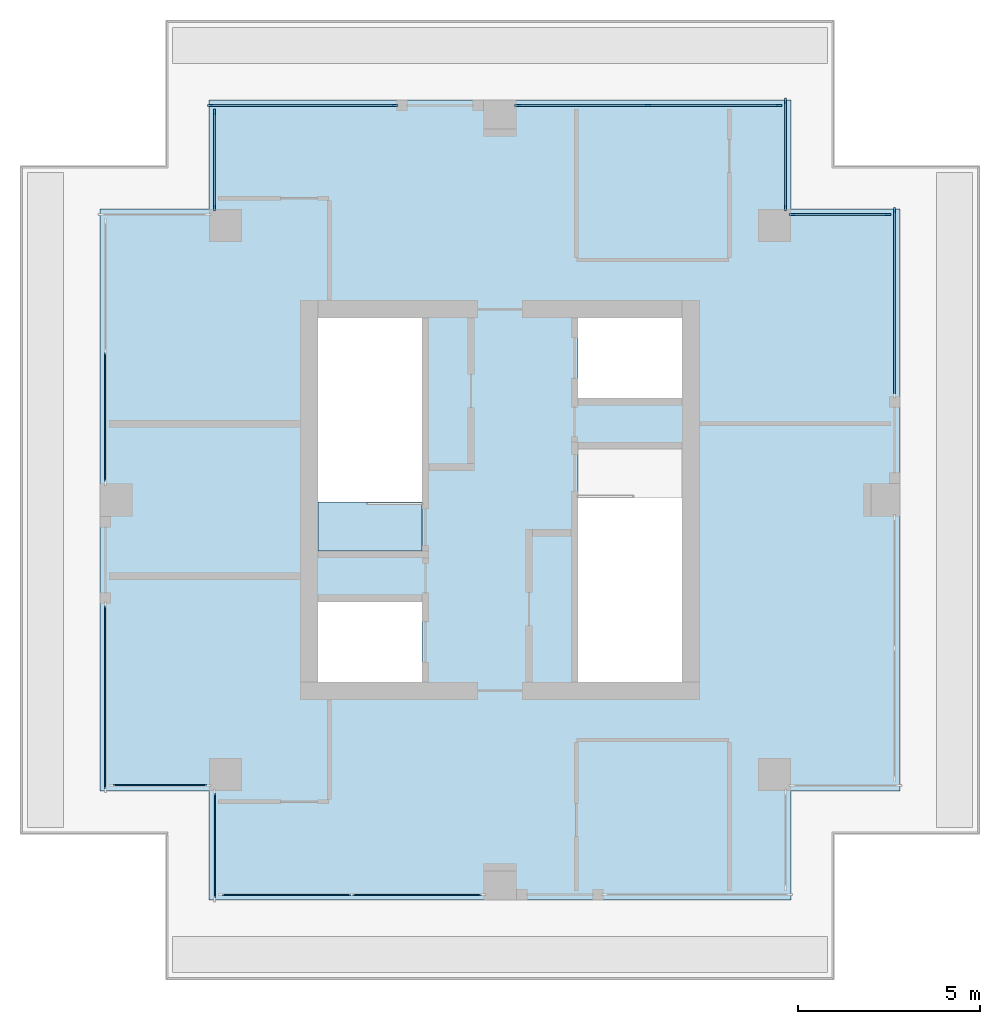
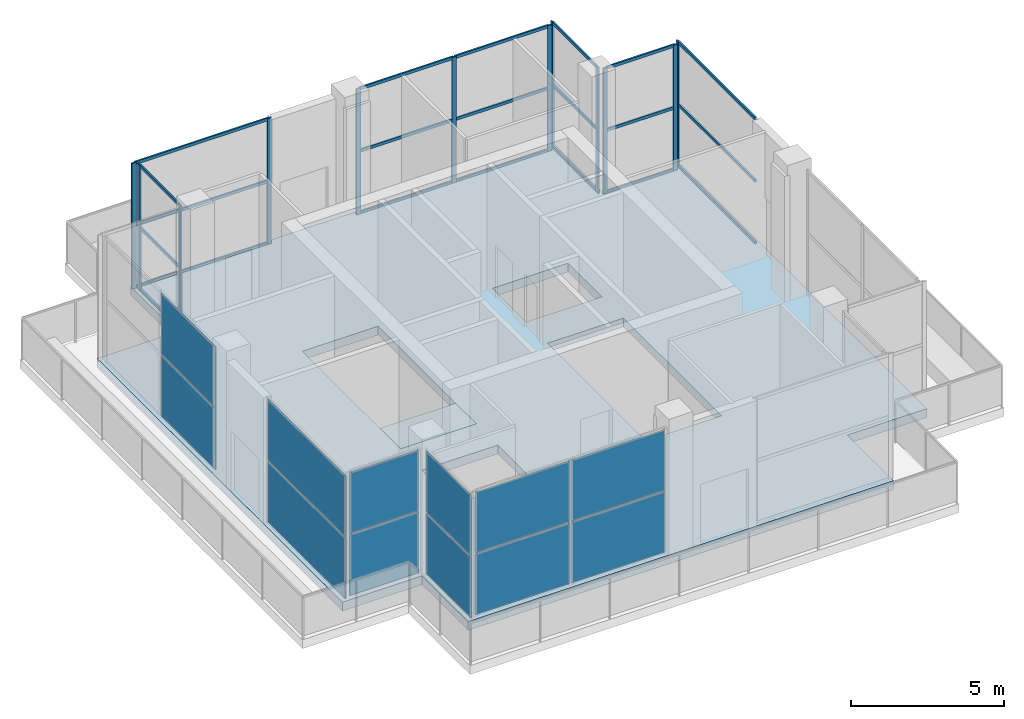
# One storey, part 2 of 5: 33 members, 12 plates, 2 slabs, 11 elements without a shape of their own.
"""IFC4 building model written with IfcOpenShell, lengths in metres."""

from ifc_helpers import new_model, si_unit, direction, frame, origin, origin_2d, place, context, subcontext, project, spatial, polyline, rectangle, outline, extrude, material, layer, layer_set, material_profile, profile_set, type_object, element, aggregate, save


model = new_model("IFC4")

# Units and contexts
model_context = context("Model", 3, precision=1e-05, world=origin(), true_north=direction((0.0, 1.0)))
body_context = subcontext(model_context, "Body", "Model", "MODEL_VIEW")
ifc_project = project(units=[si_unit("LENGTHUNIT", "METRE"), si_unit("AREAUNIT", "SQUARE_METRE"), si_unit("VOLUMEUNIT", "CUBIC_METRE"), si_unit("PLANEANGLEUNIT", "RADIAN"), si_unit("MASSUNIT", "GRAM", prefix="KILO")], contexts=[model_context])

# Site, building, storey
site_placement = place(None, origin())
site = spatial("IfcSite", under=ifc_project, at=site_placement, CompositionType="ELEMENT")
building_placement = place(site_placement, origin())
building = spatial("IfcBuilding", under=site, at=building_placement, Name="Khepri Terraces", CompositionType="ELEMENT")
storey_placement = place(building_placement, frame((0.0, 0.0, 316.199951171875)))
storey = spatial("IfcBuildingStorey", under=building, at=storey_placement, Name="L76", CompositionType="ELEMENT", Elevation=316.199951171875)

# Curtain wall, member
ifc_material_1 = material(Name="Anodised aluminium bronze curtain wall", Category="aluminium")
curtain_wall_type = type_object("IfcCurtainWallType", Name="CW-SYS4-LANTERN", PredefinedType="NOTDEFINED", material=ifc_material_1)
curtain_wall_1_placement = place(storey_placement, origin())
curtain_wall_1 = element("IfcCurtainWall", 1, at=curtain_wall_1_placement, inside=storey, type_object=curtain_wall_type, Name="Curtain wall CW4 L76 E", PredefinedType="NOTDEFINED")
ifc_material_2 = material(Name="Anodised aluminium bronze", Category="aluminium")
ifc_material_profile_1 = material_profile(ifc_material_2, rectangle(XDim=0.06005859375, YDim=0.159912109375, at=origin_2d()), Name="Anodised aluminium bronze", Category="aluminium")
ifc_profile_set_1 = profile_set([ifc_material_profile_1], Name="Anodised aluminium bronze")
member_type_1 = type_object("IfcMemberType", Name="CW-MULLION-60x160", PredefinedType="MULLION", material=ifc_profile_set_1)
member_1_placement = place(storey_placement, frame((10.85009765625, 7.969970703125, 0.0), z_axis=(0.0, 0.0, 1.0), x_axis=(-1.0, 0.0, 0.0)))
member_1 = element("IfcMember", 2, at=member_1_placement, type_object=member_type_1, Name="CW4 mullion 2", PredefinedType="MULLION", context=body_context, shape_type="SweptSolid", body=[
    extrude(rectangle(XDim=0.06005859375, YDim=0.159912109375, at=origin_2d()), origin(), (0.0, 0.0, 1.0), 5.0),
])

# Curtain wall, members
curtain_wall_2_placement = place(storey_placement, origin())
curtain_wall_2 = element("IfcCurtainWall", 3, at=curtain_wall_2_placement, inside=storey, type_object=curtain_wall_type, Name="Curtain wall CW4 L76 E", PredefinedType="NOTDEFINED")
member_2_placement = place(storey_placement, frame((7.85009765625, 8.030029296875, 0.0), z_axis=(0.0, 0.0, 1.0), x_axis=(-1.0, 0.0, 0.0)))
member_2 = element("IfcMember", 4, at=member_2_placement, type_object=member_type_1, Name="CW4 mullion 1", PredefinedType="MULLION", context=body_context, shape_type="SweptSolid", body=[
    extrude(rectangle(XDim=0.06005859375, YDim=0.159912109375, at=origin_2d()), origin(), (0.0, 0.0, 1.0), 5.0),
])
member_3_placement = place(storey_placement, frame((7.85009765625, 10.969970703125, 0.0), z_axis=(0.0, 0.0, 1.0), x_axis=(-1.0, 0.0, 0.0)))
member_3 = element("IfcMember", 5, at=member_3_placement, type_object=member_type_1, Name="CW4 mullion 2", PredefinedType="MULLION", context=body_context, shape_type="SweptSolid", body=[
    extrude(rectangle(XDim=0.06005859375, YDim=0.159912109375, at=origin_2d()), origin(), (0.0, 0.0, 1.0), 5.0),
])

curtain_wall_3_placement = place(storey_placement, origin())
curtain_wall_3 = element("IfcCurtainWall", 6, at=curtain_wall_3_placement, inside=storey, type_object=curtain_wall_type, Name="Curtain wall CW4 L76 N", PredefinedType="NOTDEFINED")
member_4_placement = place(storey_placement, frame((10.669921875, 7.85009765625, 0.0), z_axis=(0.0, 0.0, 1.0), x_axis=(0.0, -1.0, 0.0)))
member_4 = element("IfcMember", 7, at=member_4_placement, type_object=member_type_1, Name="CW4 mullion 1", PredefinedType="MULLION", context=body_context, shape_type="SweptSolid", body=[
    extrude(rectangle(XDim=0.06005859375, YDim=0.159912109375, at=origin_2d()), origin(), (0.0, 0.0, 1.0), 5.0),
])
member_5_placement = place(storey_placement, frame((8.030029296875, 7.85009765625, 0.0), z_axis=(0.0, 0.0, 1.0), x_axis=(0.0, -1.0, 0.0)))
member_5 = element("IfcMember", 8, at=member_5_placement, type_object=member_type_1, Name="CW4 mullion 2", PredefinedType="MULLION", context=body_context, shape_type="SweptSolid", body=[
    extrude(rectangle(XDim=0.06005859375, YDim=0.159912109375, at=origin_2d()), origin(), (0.0, 0.0, 1.0), 5.0),
])

curtain_wall_4_placement = place(storey_placement, origin())
curtain_wall_4 = element("IfcCurtainWall", 9, at=curtain_wall_4_placement, inside=storey, type_object=curtain_wall_type, Name="Curtain wall CW4 L76 N", PredefinedType="NOTDEFINED")
member_6_placement = place(storey_placement, frame((7.669921875, 10.85009765625, 0.0), z_axis=(0.0, 0.0, 1.0), x_axis=(0.0, -1.0, 0.0)))
member_6 = element("IfcMember", 10, at=member_6_placement, type_object=member_type_1, Name="CW4 mullion 1", PredefinedType="MULLION", context=body_context, shape_type="SweptSolid", body=[
    extrude(rectangle(XDim=0.06005859375, YDim=0.159912109375, at=origin_2d()), origin(), (0.0, 0.0, 1.0), 5.0),
])
member_7_placement = place(storey_placement, frame((4.074951171875, 10.85009765625, 0.0), z_axis=(0.0, 0.0, 1.0), x_axis=(0.0, -1.0, 0.0)))
member_7 = element("IfcMember", 11, at=member_7_placement, type_object=member_type_1, Name="CW4 mullion 2", PredefinedType="MULLION", context=body_context, shape_type="SweptSolid", body=[
    extrude(rectangle(XDim=0.06005859375, YDim=0.159912109375, at=origin_2d()), origin(), (0.0, 0.0, 1.0), 5.0),
])
member_8_placement = place(storey_placement, frame((0.47998046875, 10.85009765625, 0.0), z_axis=(0.0, 0.0, 1.0), x_axis=(0.0, -1.0, 0.0)))
member_8 = element("IfcMember", 12, at=member_8_placement, type_object=member_type_1, Name="CW4 mullion 3", PredefinedType="MULLION", context=body_context, shape_type="SweptSolid", body=[
    extrude(rectangle(XDim=0.06005859375, YDim=0.159912109375, at=origin_2d()), origin(), (0.0, 0.0, 1.0), 5.0),
])

curtain_wall_5_placement = place(storey_placement, origin())
curtain_wall_5 = element("IfcCurtainWall", 13, at=curtain_wall_5_placement, inside=storey, type_object=curtain_wall_type, Name="Curtain wall CW4 L76 N", PredefinedType="NOTDEFINED")
member_9_placement = place(storey_placement, frame((-2.8798828125, 10.85009765625, 0.0), z_axis=(0.0, 0.0, 1.0), x_axis=(0.0, -1.0, 0.0)))
member_9 = element("IfcMember", 14, at=member_9_placement, type_object=member_type_1, Name="CW4 mullion 1", PredefinedType="MULLION", context=body_context, shape_type="SweptSolid", body=[
    extrude(rectangle(XDim=0.06005859375, YDim=0.159912109375, at=origin_2d()), origin(), (0.0, 0.0, 1.0), 5.0),
])
member_10_placement = place(storey_placement, frame((-7.969970703125, 10.85009765625, 0.0), z_axis=(0.0, 0.0, 1.0), x_axis=(0.0, -1.0, 0.0)))
member_10 = element("IfcMember", 15, at=member_10_placement, type_object=member_type_1, Name="CW4 mullion 2", PredefinedType="MULLION", context=body_context, shape_type="SweptSolid", body=[
    extrude(rectangle(XDim=0.06005859375, YDim=0.159912109375, at=origin_2d()), origin(), (0.0, 0.0, 1.0), 5.0),
])

curtain_wall_6_placement = place(storey_placement, origin())
curtain_wall_6 = element("IfcCurtainWall", 16, at=curtain_wall_6_placement, inside=storey, type_object=curtain_wall_type, Name="Curtain wall CW4 L76 W", PredefinedType="NOTDEFINED")
member_11_placement = place(storey_placement, frame((-7.85009765625, 10.669921875, 0.0), z_axis=(0.0, 0.0, 1.0), x_axis=(1.0, 0.0, 0.0)))
member_11 = element("IfcMember", 17, at=member_11_placement, type_object=member_type_1, Name="CW4 mullion 1", PredefinedType="MULLION", context=body_context, shape_type="SweptSolid", body=[
    extrude(rectangle(XDim=0.06005859375, YDim=0.159912109375, at=origin_2d()), origin(), (0.0, 0.0, 1.0), 5.0),
])
member_12_placement = place(storey_placement, frame((-7.85009765625, 8.030029296875, 0.0), z_axis=(0.0, 0.0, 1.0), x_axis=(1.0, 0.0, 0.0)))
member_12 = element("IfcMember", 18, at=member_12_placement, type_object=member_type_1, Name="CW4 mullion 2", PredefinedType="MULLION", context=body_context, shape_type="SweptSolid", body=[
    extrude(rectangle(XDim=0.06005859375, YDim=0.159912109375, at=origin_2d()), origin(), (0.0, 0.0, 1.0), 5.0),
])

# Member
ifc_material_profile_2 = material_profile(ifc_material_2, rectangle(XDim=0.06005859375, YDim=0.1201171875, at=origin_2d()), Name="Anodised aluminium bronze", Category="aluminium")
ifc_profile_set_2 = profile_set([ifc_material_profile_2], Name="Anodised aluminium bronze")
member_type_2 = type_object("IfcMemberType", Name="CW-TRANSOM-60x120", PredefinedType="USERDEFINED", material=ifc_profile_set_2)
member_13_placement = place(storey_placement, frame((10.85009765625, 2.909912109375, 0.030029296875), z_axis=(0.0, 1.0, 0.0), x_axis=(-1.0, 0.0, 0.0)))
member_13 = element("IfcMember", 19, at=member_13_placement, type_object=member_type_2, Name="CW4 transom 1.1", ObjectType="TRANSOM", PredefinedType="USERDEFINED", context=body_context, shape_type="SweptSolid", body=[
    extrude(rectangle(XDim=0.06005859375, YDim=0.1201171875, at=origin_2d()), origin(), (0.0, 0.0, 1.0), 5.030029296875),
])

member_14_placement = place(storey_placement, frame((10.85009765625, 2.909912109375, 2.5), z_axis=(0.0, 1.0, 0.0), x_axis=(-1.0, 0.0, 0.0)))
member_14 = element("IfcMember", 20, at=member_14_placement, type_object=member_type_2, Name="CW4 transom 1.2", ObjectType="TRANSOM", PredefinedType="USERDEFINED", context=body_context, shape_type="SweptSolid", body=[
    extrude(rectangle(XDim=0.06005859375, YDim=0.1201171875, at=origin_2d()), origin(), (0.0, 0.0, 1.0), 5.030029296875),
])

member_15_placement = place(storey_placement, frame((10.85009765625, 2.909912109375, 4.969970703125), z_axis=(0.0, 1.0, 0.0), x_axis=(-1.0, 0.0, 0.0)))
member_15 = element("IfcMember", 21, at=member_15_placement, type_object=member_type_2, Name="CW4 transom 1.3", ObjectType="TRANSOM", PredefinedType="USERDEFINED", context=body_context, shape_type="SweptSolid", body=[
    extrude(rectangle(XDim=0.06005859375, YDim=0.1201171875, at=origin_2d()), origin(), (0.0, 0.0, 1.0), 5.030029296875),
])

aggregate(curtain_wall_1, [member_1, member_13, member_14, member_15])

member_16_placement = place(storey_placement, frame((7.85009765625, 8.06005859375, 0.030029296875), z_axis=(0.0, 1.0, 0.0), x_axis=(-1.0, 0.0, 0.0)))
member_16 = element("IfcMember", 22, at=member_16_placement, type_object=member_type_2, Name="CW4 transom 1.1", ObjectType="TRANSOM", PredefinedType="USERDEFINED", context=body_context, shape_type="SweptSolid", body=[
    extrude(rectangle(XDim=0.06005859375, YDim=0.1201171875, at=origin_2d()), origin(), (0.0, 0.0, 1.0), 2.8798828125),
])

member_17_placement = place(storey_placement, frame((7.85009765625, 8.06005859375, 2.5), z_axis=(0.0, 1.0, 0.0), x_axis=(-1.0, 0.0, 0.0)))
member_17 = element("IfcMember", 23, at=member_17_placement, type_object=member_type_2, Name="CW4 transom 1.2", ObjectType="TRANSOM", PredefinedType="USERDEFINED", context=body_context, shape_type="SweptSolid", body=[
    extrude(rectangle(XDim=0.06005859375, YDim=0.1201171875, at=origin_2d()), origin(), (0.0, 0.0, 1.0), 2.8798828125),
])

member_18_placement = place(storey_placement, frame((7.85009765625, 8.06005859375, 4.969970703125), z_axis=(0.0, 1.0, 0.0), x_axis=(-1.0, 0.0, 0.0)))
member_18 = element("IfcMember", 24, at=member_18_placement, type_object=member_type_2, Name="CW4 transom 1.3", ObjectType="TRANSOM", PredefinedType="USERDEFINED", context=body_context, shape_type="SweptSolid", body=[
    extrude(rectangle(XDim=0.06005859375, YDim=0.1201171875, at=origin_2d()), origin(), (0.0, 0.0, 1.0), 2.8798828125),
])

aggregate(curtain_wall_2, [member_2, member_3, member_16, member_17, member_18])

member_19_placement = place(storey_placement, frame((10.639892578125, 7.85009765625, 0.030029296875), z_axis=(-1.0, 0.0, 0.0), x_axis=(0.0, -1.0, 0.0)))
member_19 = element("IfcMember", 25, at=member_19_placement, type_object=member_type_2, Name="CW4 transom 1.1", ObjectType="TRANSOM", PredefinedType="USERDEFINED", context=body_context, shape_type="SweptSolid", body=[
    extrude(rectangle(XDim=0.06005859375, YDim=0.1201171875, at=origin_2d()), origin(), (0.0, 0.0, 1.0), 2.579833984375),
])

member_20_placement = place(storey_placement, frame((10.639892578125, 7.85009765625, 2.5), z_axis=(-1.0, 0.0, 0.0), x_axis=(0.0, -1.0, 0.0)))
member_20 = element("IfcMember", 26, at=member_20_placement, type_object=member_type_2, Name="CW4 transom 1.2", ObjectType="TRANSOM", PredefinedType="USERDEFINED", context=body_context, shape_type="SweptSolid", body=[
    extrude(rectangle(XDim=0.06005859375, YDim=0.1201171875, at=origin_2d()), origin(), (0.0, 0.0, 1.0), 2.579833984375),
])

member_21_placement = place(storey_placement, frame((10.639892578125, 7.85009765625, 4.969970703125), z_axis=(-1.0, 0.0, 0.0), x_axis=(0.0, -1.0, 0.0)))
member_21 = element("IfcMember", 27, at=member_21_placement, type_object=member_type_2, Name="CW4 transom 1.3", ObjectType="TRANSOM", PredefinedType="USERDEFINED", context=body_context, shape_type="SweptSolid", body=[
    extrude(rectangle(XDim=0.06005859375, YDim=0.1201171875, at=origin_2d()), origin(), (0.0, 0.0, 1.0), 2.579833984375),
])

aggregate(curtain_wall_3, [member_4, member_5, member_19, member_20, member_21])

member_22_placement = place(storey_placement, frame((7.639892578125, 10.85009765625, 0.030029296875), z_axis=(-1.0, 0.0, 0.0), x_axis=(0.0, -1.0, 0.0)))
member_22 = element("IfcMember", 28, at=member_22_placement, type_object=member_type_2, Name="CW4 transom 1.1", ObjectType="TRANSOM", PredefinedType="USERDEFINED", context=body_context, shape_type="SweptSolid", body=[
    extrude(rectangle(XDim=0.06005859375, YDim=0.1201171875, at=origin_2d()), origin(), (0.0, 0.0, 1.0), 3.534912109375),
])

member_23_placement = place(storey_placement, frame((7.639892578125, 10.85009765625, 2.5), z_axis=(-1.0, 0.0, 0.0), x_axis=(0.0, -1.0, 0.0)))
member_23 = element("IfcMember", 29, at=member_23_placement, type_object=member_type_2, Name="CW4 transom 1.2", ObjectType="TRANSOM", PredefinedType="USERDEFINED", context=body_context, shape_type="SweptSolid", body=[
    extrude(rectangle(XDim=0.06005859375, YDim=0.1201171875, at=origin_2d()), origin(), (0.0, 0.0, 1.0), 3.534912109375),
])

member_24_placement = place(storey_placement, frame((7.639892578125, 10.85009765625, 4.969970703125), z_axis=(-1.0, 0.0, 0.0), x_axis=(0.0, -1.0, 0.0)))
member_24 = element("IfcMember", 30, at=member_24_placement, type_object=member_type_2, Name="CW4 transom 1.3", ObjectType="TRANSOM", PredefinedType="USERDEFINED", context=body_context, shape_type="SweptSolid", body=[
    extrude(rectangle(XDim=0.06005859375, YDim=0.1201171875, at=origin_2d()), origin(), (0.0, 0.0, 1.0), 3.534912109375),
])

member_25_placement = place(storey_placement, frame((4.044921875, 10.85009765625, 0.030029296875), z_axis=(-1.0, 0.0, 0.0), x_axis=(0.0, -1.0, 0.0)))
member_25 = element("IfcMember", 31, at=member_25_placement, type_object=member_type_2, Name="CW4 transom 2.1", ObjectType="TRANSOM", PredefinedType="USERDEFINED", context=body_context, shape_type="SweptSolid", body=[
    extrude(rectangle(XDim=0.06005859375, YDim=0.1201171875, at=origin_2d()), origin(), (0.0, 0.0, 1.0), 3.534912109375),
])

member_26_placement = place(storey_placement, frame((4.044921875, 10.85009765625, 2.5), z_axis=(-1.0, 0.0, 0.0), x_axis=(0.0, -1.0, 0.0)))
member_26 = element("IfcMember", 32, at=member_26_placement, type_object=member_type_2, Name="CW4 transom 2.2", ObjectType="TRANSOM", PredefinedType="USERDEFINED", context=body_context, shape_type="SweptSolid", body=[
    extrude(rectangle(XDim=0.06005859375, YDim=0.1201171875, at=origin_2d()), origin(), (0.0, 0.0, 1.0), 3.534912109375),
])

member_27_placement = place(storey_placement, frame((4.044921875, 10.85009765625, 4.969970703125), z_axis=(-1.0, 0.0, 0.0), x_axis=(0.0, -1.0, 0.0)))
member_27 = element("IfcMember", 33, at=member_27_placement, type_object=member_type_2, Name="CW4 transom 2.3", ObjectType="TRANSOM", PredefinedType="USERDEFINED", context=body_context, shape_type="SweptSolid", body=[
    extrude(rectangle(XDim=0.06005859375, YDim=0.1201171875, at=origin_2d()), origin(), (0.0, 0.0, 1.0), 3.534912109375),
])

aggregate(curtain_wall_4, [member_6, member_7, member_8, member_22, member_23, member_24, member_25, member_26, member_27])

member_28_placement = place(storey_placement, frame((-2.909912109375, 10.85009765625, 0.030029296875), z_axis=(-1.0, 0.0, 0.0), x_axis=(0.0, -1.0, 0.0)))
member_28 = element("IfcMember", 34, at=member_28_placement, type_object=member_type_2, Name="CW4 transom 1.1", ObjectType="TRANSOM", PredefinedType="USERDEFINED", context=body_context, shape_type="SweptSolid", body=[
    extrude(rectangle(XDim=0.06005859375, YDim=0.1201171875, at=origin_2d()), origin(), (0.0, 0.0, 1.0), 5.030029296875),
])

member_29_placement = place(storey_placement, frame((-2.909912109375, 10.85009765625, 2.5), z_axis=(-1.0, 0.0, 0.0), x_axis=(0.0, -1.0, 0.0)))
member_29 = element("IfcMember", 35, at=member_29_placement, type_object=member_type_2, Name="CW4 transom 1.2", ObjectType="TRANSOM", PredefinedType="USERDEFINED", context=body_context, shape_type="SweptSolid", body=[
    extrude(rectangle(XDim=0.06005859375, YDim=0.1201171875, at=origin_2d()), origin(), (0.0, 0.0, 1.0), 5.030029296875),
])

member_30_placement = place(storey_placement, frame((-2.909912109375, 10.85009765625, 4.969970703125), z_axis=(-1.0, 0.0, 0.0), x_axis=(0.0, -1.0, 0.0)))
member_30 = element("IfcMember", 36, at=member_30_placement, type_object=member_type_2, Name="CW4 transom 1.3", ObjectType="TRANSOM", PredefinedType="USERDEFINED", context=body_context, shape_type="SweptSolid", body=[
    extrude(rectangle(XDim=0.06005859375, YDim=0.1201171875, at=origin_2d()), origin(), (0.0, 0.0, 1.0), 5.030029296875),
])

aggregate(curtain_wall_5, [member_9, member_10, member_28, member_29, member_30])

member_31_placement = place(storey_placement, frame((-7.85009765625, 10.639892578125, 0.030029296875), z_axis=(0.0, -1.0, 0.0), x_axis=(1.0, 0.0, 0.0)))
member_31 = element("IfcMember", 37, at=member_31_placement, type_object=member_type_2, Name="CW4 transom 1.1", ObjectType="TRANSOM", PredefinedType="USERDEFINED", context=body_context, shape_type="SweptSolid", body=[
    extrude(rectangle(XDim=0.06005859375, YDim=0.1201171875, at=origin_2d()), origin(), (0.0, 0.0, 1.0), 2.579833984375),
])

member_32_placement = place(storey_placement, frame((-7.85009765625, 10.639892578125, 2.5), z_axis=(0.0, -1.0, 0.0), x_axis=(1.0, 0.0, 0.0)))
member_32 = element("IfcMember", 38, at=member_32_placement, type_object=member_type_2, Name="CW4 transom 1.2", ObjectType="TRANSOM", PredefinedType="USERDEFINED", context=body_context, shape_type="SweptSolid", body=[
    extrude(rectangle(XDim=0.06005859375, YDim=0.1201171875, at=origin_2d()), origin(), (0.0, 0.0, 1.0), 2.579833984375),
])

member_33_placement = place(storey_placement, frame((-7.85009765625, 10.639892578125, 4.969970703125), z_axis=(0.0, -1.0, 0.0), x_axis=(1.0, 0.0, 0.0)))
member_33 = element("IfcMember", 39, at=member_33_placement, type_object=member_type_2, Name="CW4 transom 1.3", ObjectType="TRANSOM", PredefinedType="USERDEFINED", context=body_context, shape_type="SweptSolid", body=[
    extrude(rectangle(XDim=0.06005859375, YDim=0.1201171875, at=origin_2d()), origin(), (0.0, 0.0, 1.0), 2.579833984375),
])

aggregate(curtain_wall_6, [member_11, member_12, member_31, member_32, member_33])

# Curtain wall, plates
curtain_wall_7_placement = place(storey_placement, origin())
curtain_wall_7 = element("IfcCurtainWall", 40, at=curtain_wall_7_placement, inside=storey, type_object=curtain_wall_type, Name="Curtain wall CW4 L76 S", PredefinedType="NOTDEFINED")
ifc_material_3 = material(Name="Clear glass", Category="glass")
ifc_layer_1 = layer(ifc_material_3, 0.028076171875, Name="Clear glass", Category="glass")
ifc_layer_set_1 = layer_set([ifc_layer_1], Name="Clear glass")
plate_type = type_object("IfcPlateType", Name="CW-PANEL-VISION-28", PredefinedType="CURTAIN_PANEL", material=ifc_layer_set_1)
plate_1_placement = place(storey_placement, frame((-9.35009765625, -7.85009765625, 0.06005859375), z_axis=(0.0, 0.0, 1.0), x_axis=(1.0, 0.0, 0.0)))
plate_1 = element("IfcPlate", 41, at=plate_1_placement, type_object=plate_type, Name="CW4 panel 1.1", PredefinedType="CURTAIN_PANEL", context=body_context, shape_type="SweptSolid", body=[
    extrude(rectangle(XDim=2.580078125, YDim=0.028076171875, at=origin_2d()), origin(), (0.0, 0.0, 1.0), 2.409912109375),
])
plate_2_placement = place(storey_placement, frame((-9.35009765625, -7.85009765625, 2.5302734375), z_axis=(0.0, 0.0, 1.0), x_axis=(1.0, 0.0, 0.0)))
plate_2 = element("IfcPlate", 42, at=plate_2_placement, type_object=plate_type, Name="CW4 panel 1.2", PredefinedType="CURTAIN_PANEL", context=body_context, shape_type="SweptSolid", body=[
    extrude(rectangle(XDim=2.580078125, YDim=0.028076171875, at=origin_2d()), origin(), (0.0, 0.0, 1.0), 2.409912109375),
])
aggregate(curtain_wall_7, [plate_1, plate_2])

curtain_wall_8_placement = place(storey_placement, origin())
curtain_wall_8 = element("IfcCurtainWall", 43, at=curtain_wall_8_placement, inside=storey, type_object=curtain_wall_type, Name="Curtain wall CW4 L76 S", PredefinedType="NOTDEFINED")
plate_3_placement = place(storey_placement, frame((-5.87255859375, -10.85009765625, 0.06005859375), z_axis=(0.0, 0.0, 1.0), x_axis=(1.0, 0.0, 0.0)))
plate_3 = element("IfcPlate", 44, at=plate_3_placement, type_object=plate_type, Name="CW4 panel 1.1", PredefinedType="CURTAIN_PANEL", context=body_context, shape_type="SweptSolid", body=[
    extrude(rectangle(XDim=3.534912109375, YDim=0.028076171875, at=origin_2d()), origin(), (0.0, 0.0, 1.0), 2.409912109375),
])
plate_4_placement = place(storey_placement, frame((-5.87255859375, -10.85009765625, 2.5302734375), z_axis=(0.0, 0.0, 1.0), x_axis=(1.0, 0.0, 0.0)))
plate_4 = element("IfcPlate", 45, at=plate_4_placement, type_object=plate_type, Name="CW4 panel 1.2", PredefinedType="CURTAIN_PANEL", context=body_context, shape_type="SweptSolid", body=[
    extrude(rectangle(XDim=3.534912109375, YDim=0.028076171875, at=origin_2d()), origin(), (0.0, 0.0, 1.0), 2.409912109375),
])
plate_5_placement = place(storey_placement, frame((-2.277587890625, -10.85009765625, 0.06005859375), z_axis=(0.0, 0.0, 1.0), x_axis=(1.0, 0.0, 0.0)))
plate_5 = element("IfcPlate", 46, at=plate_5_placement, type_object=plate_type, Name="CW4 panel 2.1", PredefinedType="CURTAIN_PANEL", context=body_context, shape_type="SweptSolid", body=[
    extrude(rectangle(XDim=3.534912109375, YDim=0.028076171875, at=origin_2d()), origin(), (0.0, 0.0, 1.0), 2.409912109375),
])
plate_6_placement = place(storey_placement, frame((-2.277587890625, -10.85009765625, 2.5302734375), z_axis=(0.0, 0.0, 1.0), x_axis=(1.0, 0.0, 0.0)))
plate_6 = element("IfcPlate", 47, at=plate_6_placement, type_object=plate_type, Name="CW4 panel 2.2", PredefinedType="CURTAIN_PANEL", context=body_context, shape_type="SweptSolid", body=[
    extrude(rectangle(XDim=3.534912109375, YDim=0.028076171875, at=origin_2d()), origin(), (0.0, 0.0, 1.0), 2.409912109375),
])
aggregate(curtain_wall_8, [plate_3, plate_4, plate_5, plate_6])

curtain_wall_9_placement = place(storey_placement, origin())
curtain_wall_9 = element("IfcCurtainWall", 48, at=curtain_wall_9_placement, inside=storey, type_object=curtain_wall_type, Name="Curtain wall CW4 L76 W", PredefinedType="NOTDEFINED")
plate_7_placement = place(storey_placement, frame((-10.85009765625, 2.277587890625, 0.06005859375), z_axis=(0.0, 0.0, 1.0), x_axis=(0.0, -1.0, 0.0)))
plate_7 = element("IfcPlate", 49, at=plate_7_placement, type_object=plate_type, Name="CW4 panel 2.1", PredefinedType="CURTAIN_PANEL", context=body_context, shape_type="SweptSolid", body=[
    extrude(rectangle(XDim=3.534912109375, YDim=0.028076171875, at=origin_2d()), origin(), (0.0, 0.0, 1.0), 2.409912109375),
])
plate_8_placement = place(storey_placement, frame((-10.85009765625, 2.277587890625, 2.5302734375), z_axis=(0.0, 0.0, 1.0), x_axis=(0.0, -1.0, 0.0)))
plate_8 = element("IfcPlate", 50, at=plate_8_placement, type_object=plate_type, Name="CW4 panel 2.2", PredefinedType="CURTAIN_PANEL", context=body_context, shape_type="SweptSolid", body=[
    extrude(rectangle(XDim=3.534912109375, YDim=0.028076171875, at=origin_2d()), origin(), (0.0, 0.0, 1.0), 2.409912109375),
])
aggregate(curtain_wall_9, [plate_7, plate_8])

curtain_wall_10_placement = place(storey_placement, origin())
curtain_wall_10 = element("IfcCurtainWall", 51, at=curtain_wall_10_placement, inside=storey, type_object=curtain_wall_type, Name="Curtain wall CW4 L76 W", PredefinedType="NOTDEFINED")
plate_9_placement = place(storey_placement, frame((-10.85009765625, -5.425048828125, 0.06005859375), z_axis=(0.0, 0.0, 1.0), x_axis=(0.0, -1.0, 0.0)))
plate_9 = element("IfcPlate", 52, at=plate_9_placement, type_object=plate_type, Name="CW4 panel 1.1", PredefinedType="CURTAIN_PANEL", context=body_context, shape_type="SweptSolid", body=[
    extrude(rectangle(XDim=5.030029296875, YDim=0.028076171875, at=origin_2d()), origin(), (0.0, 0.0, 1.0), 2.409912109375),
])
plate_10_placement = place(storey_placement, frame((-10.85009765625, -5.425048828125, 2.5302734375), z_axis=(0.0, 0.0, 1.0), x_axis=(0.0, -1.0, 0.0)))
plate_10 = element("IfcPlate", 53, at=plate_10_placement, type_object=plate_type, Name="CW4 panel 1.2", PredefinedType="CURTAIN_PANEL", context=body_context, shape_type="SweptSolid", body=[
    extrude(rectangle(XDim=5.030029296875, YDim=0.028076171875, at=origin_2d()), origin(), (0.0, 0.0, 1.0), 2.409912109375),
])
aggregate(curtain_wall_10, [plate_9, plate_10])

curtain_wall_11_placement = place(storey_placement, origin())
curtain_wall_11 = element("IfcCurtainWall", 54, at=curtain_wall_11_placement, inside=storey, type_object=curtain_wall_type, Name="Curtain wall CW4 L76 W", PredefinedType="NOTDEFINED")
plate_11_placement = place(storey_placement, frame((-7.85009765625, -9.5, 0.06005859375), z_axis=(0.0, 0.0, 1.0), x_axis=(0.0, -1.0, 0.0)))
plate_11 = element("IfcPlate", 55, at=plate_11_placement, type_object=plate_type, Name="CW4 panel 1.1", PredefinedType="CURTAIN_PANEL", context=body_context, shape_type="SweptSolid", body=[
    extrude(rectangle(XDim=2.8798828125, YDim=0.028076171875, at=origin_2d()), origin(), (0.0, 0.0, 1.0), 2.409912109375),
])
plate_12_placement = place(storey_placement, frame((-7.85009765625, -9.5, 2.5302734375), z_axis=(0.0, 0.0, 1.0), x_axis=(0.0, -1.0, 0.0)))
plate_12 = element("IfcPlate", 56, at=plate_12_placement, type_object=plate_type, Name="CW4 panel 1.2", PredefinedType="CURTAIN_PANEL", context=body_context, shape_type="SweptSolid", body=[
    extrude(rectangle(XDim=2.8798828125, YDim=0.028076171875, at=origin_2d()), origin(), (0.0, 0.0, 1.0), 2.409912109375),
])
aggregate(curtain_wall_11, [plate_11, plate_12])

# Slabs
ifc_material_4 = material(Name="Concrete C40/50", Category="concrete")
ifc_layer_2 = layer(ifc_material_4, 0.35009765625, Name="Concrete C40/50", Category="concrete")
ifc_layer_set_2 = layer_set([ifc_layer_2], Name="Concrete C40/50")
slab_type_1 = type_object("IfcSlabType", Name="Crown floor slab 350", PredefinedType="FLOOR", material=ifc_layer_set_2)
slab_1_placement = place(storey_placement, frame((0.0, 0.0, -0.349853515625)))
element("IfcSlab", 57, at=slab_1_placement, inside=storey, type_object=slab_type_1, Name="Floor slab F01 L76", PredefinedType="FLOOR", context=body_context, shape_type="SweptSolid", body=[
    extrude(outline(polyline([(-8.0, -8.0), (-11.0, -8.0), (-11.0, 8.0), (-8.0, 8.0), (-8.0, 11.0), (8.0, 11.0), (8.0, 8.0), (11.0, 8.0), (11.0, -8.0), (8.0, -8.0), (8.0, -11.0), (-8.0, -11.0), (-8.0, -8.0)]), holes=[polyline([(5.0, 2.800048828125), (5.0, 5.0), (2.14990234375, 5.0), (2.14990234375, 2.800048828125), (5.0, 2.800048828125)]), polyline([(-5.0, -5.0), (-2.14990234375, -5.0), (-2.14990234375, -2.800048828125), (-5.0, -2.800048828125), (-5.0, -5.0)]), polyline([(-5.0, 5.0), (-5.0, -1.39990234375), (-2.14990234375, -1.39990234375), (-2.14990234375, 5.0), (-5.0, 5.0)]), polyline([(2.14990234375, -5.0), (5.0, -5.0), (5.0, 1.39990234375), (2.14990234375, 1.39990234375), (2.14990234375, -5.0)])]), origin(), (0.0, 0.0, 1.0), 0.349853515625),
])
ifc_layer_3 = layer(ifc_material_4, 0.199951171875, Name="Concrete C40/50", Category="concrete")
ifc_layer_set_3 = layer_set([ifc_layer_3], Name="Concrete C40/50")
slab_type_2 = type_object("IfcSlabType", Name="SLB-CORE-LANDING", PredefinedType="LANDING", material=ifc_layer_set_3)
slab_2_placement = place(storey_placement, frame((0.0, 0.0, -0.199951171875)))
element("IfcSlab", 58, at=slab_2_placement, inside=storey, type_object=slab_type_2, Name="ST-1 floor landing L76", PredefinedType="LANDING", context=body_context, shape_type="SweptSolid", body=[
    extrude(outline(polyline([(-2.14990234375, -1.39990234375), (-2.14990234375, -0.050048828125), (-5.0, -0.050048828125), (-5.0, -1.39990234375), (-2.14990234375, -1.39990234375)])), origin(), (0.0, 0.0, 1.0), 0.199951171875),
])

save(model, "model.ifc")
